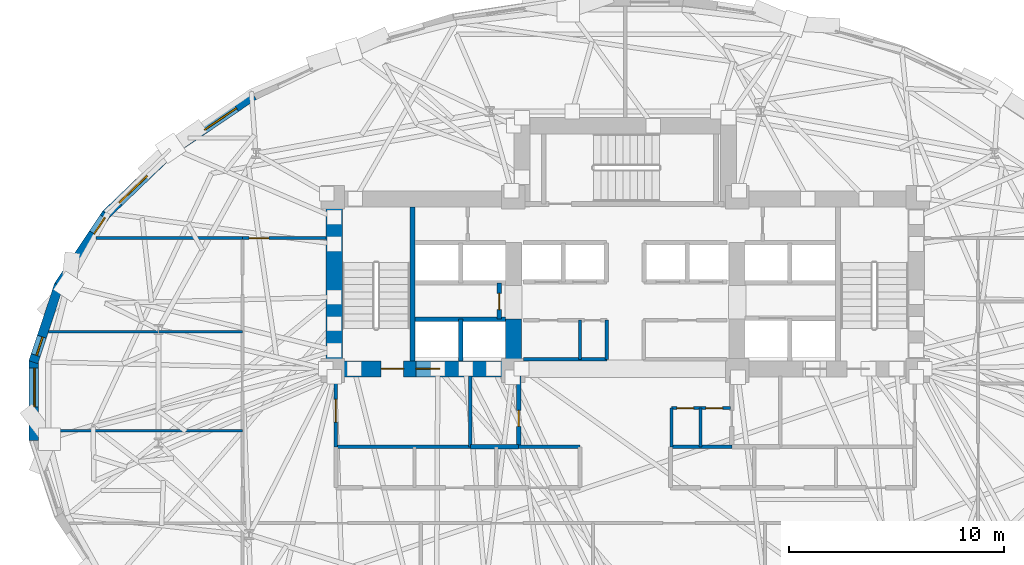
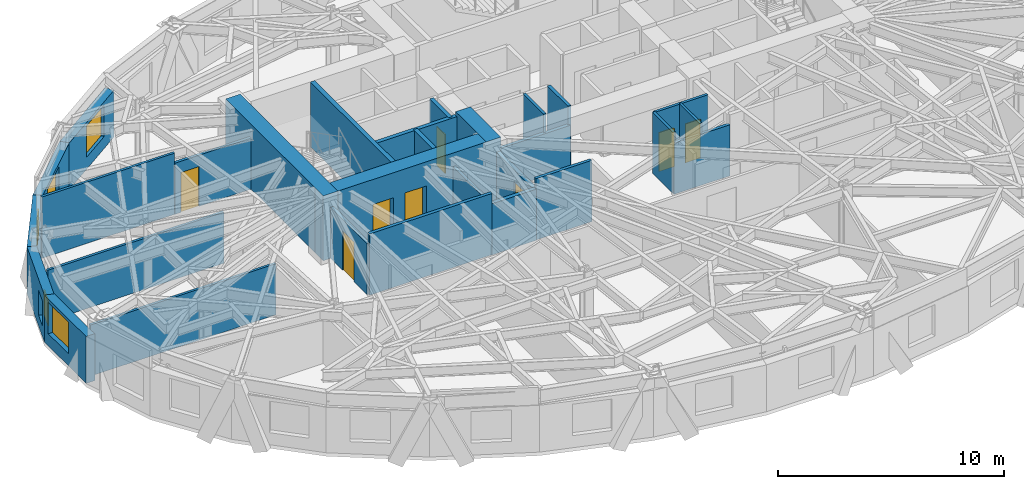
# One storey, part 7 of 15: 29 walls, 8 doors, 5 windows, 13 openings.
"""IFC4 building model written with IfcOpenShell, lengths in metres."""

from ifc_helpers import new_model, si_unit, direction, frame, frame_2d, origin, place, context, subcontext, project, spatial, rectangle, extrude, material, layer, layer_set, type_object, element, fill, save


model = new_model("IFC4")

# Units and contexts
model_context = context("Model", 3, precision=1e-05, world=origin(), true_north=direction((0.0, 1.0)))
body_context = subcontext(model_context, "Body", "Model", "MODEL_VIEW")
ifc_project = project(units=[si_unit("LENGTHUNIT", "METRE"), si_unit("AREAUNIT", "SQUARE_METRE"), si_unit("VOLUMEUNIT", "CUBIC_METRE"), si_unit("PLANEANGLEUNIT", "RADIAN"), si_unit("MASSUNIT", "GRAM", prefix="KILO")], contexts=[model_context])

# Site, building, storey
site_placement = place(None, origin())
site = spatial("IfcSite", under=ifc_project, at=site_placement, CompositionType="ELEMENT")
building_placement = place(site_placement, origin())
building = spatial("IfcBuilding", under=site, at=building_placement, Name="Keldmark Tower", CompositionType="ELEMENT")
storey_placement = place(building_placement, frame((0.0, 0.0, 110.60009765625)))
storey = spatial("IfcBuildingStorey", under=building, at=storey_placement, Name="L29", CompositionType="ELEMENT", Elevation=110.60009765625)

# Wall, opening, door
ifc_material_1 = material(Name="Acoustic Double-Layer Gypsum Corridor Partition", Category="gypsum")
ifc_layer_1 = layer(ifc_material_1, 0.139892578125)
ifc_layer_set_1 = layer_set([ifc_layer_1], Name="Acoustic Double-Layer Gypsum Corridor Partition")
wall_type_1 = type_object("IfcWallType", Name="Acoustic Corridor Partition 140 mm", PredefinedType="PARTITIONING", material=ifc_layer_set_1)
wall_1_placement = place(storey_placement, frame((-17.800048828125, 7.550048828125, 0.0), z_axis=(0.0, 0.0, 1.0), x_axis=(1.0, 0.0, 0.0)))
wall_1 = element("IfcWall", 1, at=wall_1_placement, inside=storey, type_object=wall_type_1, Name="L29 Acoustic Corridor Partition 140 mm COR-WN-CAP", PredefinedType="PARTITIONING", context=body_context, shape_type="SweptSolid", body=[
    extrude(rectangle(XDim=3.900146484375, YDim=0.139892578125, at=frame_2d((1.9501953125, 0.0))), origin(), (0.0, 0.0, 1.0), 2.762939453125),
])
opening_1_placement = place(wall_1_placement, frame((0.320068359375, 0.0, 0.0)))
opening_1 = element("IfcOpeningElement", 2, at=opening_1_placement, cuts=wall_1, Name="Opening D-EX092", PredefinedType="OPENING", context=body_context, shape_type="SweptSolid", body=[
    extrude(rectangle(XDim=0.919921875, YDim=2.14990234375, at=frame_2d((0.4599609375, 1.074951171875))), frame((0.0, 0.079833984375, 0.0), z_axis=(0.0, -1.0, 0.0), x_axis=(1.0, 0.0, 0.0)), (0.0, 0.0, 1.0), 0.159912109375),
])
ifc_material_2 = material(Name="Flush American Ash Executive Office Door", Category="wood")
door_type_1 = type_object("IfcDoorType", Name="Executive Office Door 920x2150", OperationType="NOTDEFINED", PredefinedType="DOOR", material=ifc_material_2)
door_1_placement = place(opening_1_placement, origin())
door_1 = element("IfcDoor", 3, at=door_1_placement, inside=storey, type_object=door_type_1, Name="L29 Executive Office Door 920x2150 D-NRNW-L29", OperationType="SINGLE_SWING_LEFT", OverallHeight=2.14990234375, OverallWidth=0.919921875, PredefinedType="DOOR", context=body_context, shape_type="SweptSolid", body=[
    extrude(rectangle(XDim=0.919921875, YDim=2.14990234375, at=frame_2d((0.4599609375, 1.074951171875))), frame((0.0, 0.02490234375, 0.0), z_axis=(0.0, -1.0, 0.0), x_axis=(1.0, 0.0, 0.0)), (0.0, 0.0, 1.0), 0.050048828125),
])
fill(opening_1, door_1)

# Wall, openings, doors
ifc_material_3 = material(Name="Acoustic Gypsum Board Interior Partition", Category="gypsum")
ifc_layer_2 = layer(ifc_material_3, 0.1298828125)
ifc_layer_set_2 = layer_set([ifc_layer_2], Name="Acoustic Gypsum Board Interior Partition")
wall_type_2 = type_object("IfcWallType", Name="Interior Partition 130 mm", PredefinedType="PARTITIONING", material=ifc_layer_set_2)
wall_2_placement = place(storey_placement, frame((2.14990234375, -0.35009765625, 0.0), z_axis=(0.0, 0.0, 1.0), x_axis=(1.0, 0.0, 0.0)))
wall_2 = element("IfcWall", 4, at=wall_2_placement, inside=storey, type_object=wall_type_2, Name="L29 Interior Partition 130 mm CSC-E-N", PredefinedType="PARTITIONING", context=body_context, shape_type="SweptSolid", body=[
    extrude(rectangle(XDim=2.72998046875, YDim=0.1298828125, at=frame_2d((1.364990234375, 0.0))), origin(), (0.0, 0.0, 1.0), 3.309814453125),
])
opening_2_placement = place(wall_2_placement, frame((0.25, 0.0, 0.0)))
opening_2 = element("IfcOpeningElement", 5, at=opening_2_placement, cuts=wall_2, Name="Opening D-CL078", PredefinedType="OPENING", context=body_context, shape_type="SweptSolid", body=[
    extrude(rectangle(XDim=0.780029296875, YDim=2.10009765625, at=frame_2d((0.39013671875, 1.050048828125))), frame((0.0, 0.074951171875, 0.0), z_axis=(0.0, -1.0, 0.0), x_axis=(1.0, 0.0, 0.0)), (0.0, 0.0, 1.0), 0.14990234375),
])
opening_3_placement = place(wall_2_placement, frame((1.60009765625, 0.0, 0.0)))
opening_3 = element("IfcOpeningElement", 6, at=opening_3_placement, cuts=wall_2, Name="Opening D-CL078", PredefinedType="OPENING", context=body_context, shape_type="SweptSolid", body=[
    extrude(rectangle(XDim=0.780029296875, YDim=2.10009765625, at=frame_2d((0.39013671875, 1.050048828125))), frame((0.0, 0.074951171875, 0.0), z_axis=(0.0, -1.0, 0.0), x_axis=(1.0, 0.0, 0.0)), (0.0, 0.0, 1.0), 0.14990234375),
])
ifc_material_4 = material(Name="Flush Utility Closet Timber Door", Category="wood")
door_type_2 = type_object("IfcDoorType", Name="Closet Door 780x2100", OperationType="NOTDEFINED", PredefinedType="DOOR", material=ifc_material_4)
door_2_placement = place(opening_2_placement, origin())
door_2 = element("IfcDoor", 7, at=door_2_placement, inside=storey, type_object=door_type_2, Name="L29 Closet Door 780x2100 D-CSCE1-L29", OperationType="SINGLE_SWING_RIGHT", OverallHeight=2.10009765625, OverallWidth=0.780029296875, PredefinedType="DOOR", context=body_context, shape_type="SweptSolid", body=[
    extrude(rectangle(XDim=0.780029296875, YDim=2.10009765625, at=frame_2d((0.39013671875, 1.050048828125))), frame((0.0, 0.02490234375, 0.0), z_axis=(0.0, -1.0, 0.0), x_axis=(1.0, 0.0, 0.0)), (0.0, 0.0, 1.0), 0.050048828125),
])
fill(opening_2, door_2)
door_3_placement = place(opening_3_placement, origin())
door_3 = element("IfcDoor", 8, at=door_3_placement, inside=storey, type_object=door_type_2, Name="L29 Closet Door 780x2100 D-CSCE2-L29", OperationType="SINGLE_SWING_RIGHT", OverallHeight=2.10009765625, OverallWidth=0.780029296875, PredefinedType="DOOR", context=body_context, shape_type="SweptSolid", body=[
    extrude(rectangle(XDim=0.780029296875, YDim=2.10009765625, at=frame_2d((0.39013671875, 1.050048828125))), frame((0.0, 0.02490234375, 0.0), z_axis=(0.0, -1.0, 0.0), x_axis=(1.0, 0.0, 0.0)), (0.0, 0.0, 1.0), 0.050048828125),
])
fill(opening_3, door_3)

# Walls
for number, where, z_axis, x_axis, name in (
    (9, (2.14990234375, -2.14990234375, 0.0), (0.0, 0.0, 1.0), (0.0, 1.0, 0.0), "L29 Interior Partition 130 mm CSC-E-W"),
    (10, (3.5, -2.14990234375, 0.0), (0.0, 0.0, 1.0), (0.0, 1.0, 0.0), "L29 Interior Partition 130 mm CSC-E-M"),
):
    element("IfcWall", number, at=place(storey_placement, frame(where, z_axis=z_axis, x_axis=x_axis)), inside=storey, type_object=wall_type_2, Name=name, PredefinedType="PARTITIONING", context=body_context, shape_type="SweptSolid", body=[
        extrude(rectangle(XDim=1.7998046875, YDim=0.1298828125, at=frame_2d((0.89990234375, 0.0))), origin(), (0.0, 0.0, 1.0), 3.309814453125),
    ])
wall_3_placement = place(storey_placement, frame((-2.10009765625, 1.919921875, 0.0), z_axis=(0.0, 0.0, 1.0), x_axis=(0.0, 1.0, 0.0)))
element("IfcWall", 11, at=wall_3_placement, inside=storey, type_object=wall_type_2, Name="L29 Interior Partition 130 mm REC-LW-M", PredefinedType="PARTITIONING", context=body_context, shape_type="SweptSolid", body=[
    extrude(rectangle(XDim=1.820068359375, YDim=0.1298828125, at=frame_2d((0.91015625, 0.0))), origin(), (0.0, 0.0, 1.0), 3.309814453125),
])
wall_4_placement = place(storey_placement, frame((-24.588623046875, 7.550048828125, 0.0), z_axis=(0.0, 0.0, 1.0), x_axis=(1.0, 0.0, 0.0)))
element("IfcWall", 12, at=wall_4_placement, inside=storey, type_object=wall_type_2, Name="L29 Interior Partition 130 mm W-CAP-N", PredefinedType="PARTITIONING", context=body_context, shape_type="SweptSolid", body=[
    extrude(rectangle(XDim=6.78857421875, YDim=0.1298828125, at=frame_2d((3.394287109375, 0.0))), origin(), (0.0, 0.0, 1.0), 3.309814453125),
])
wall_5_placement = place(storey_placement, frame((-27.267578125, -1.39990234375, 0.0), z_axis=(0.0, 0.0, 1.0), x_axis=(1.0, 0.0, 0.0)))
element("IfcWall", 13, at=wall_5_placement, inside=storey, type_object=wall_type_2, Name="L29 Interior Partition 130 mm W-DIV-1", PredefinedType="PARTITIONING", context=body_context, shape_type="SweptSolid", body=[
    extrude(rectangle(XDim=9.467529296875, YDim=0.1298828125, at=frame_2d((4.73388671875, 0.0))), origin(), (0.0, 0.0, 1.0), 2.762939453125),
])
wall_6_placement = place(storey_placement, frame((-26.797119140625, 3.199951171875, 0.0), z_axis=(0.0, 0.0, 1.0), x_axis=(1.0, 0.0, 0.0)))
element("IfcWall", 14, at=wall_6_placement, inside=storey, type_object=wall_type_2, Name="L29 Interior Partition 130 mm W-DIV-2", PredefinedType="PARTITIONING", context=body_context, shape_type="SweptSolid", body=[
    extrude(rectangle(XDim=8.9970703125, YDim=0.1298828125, at=frame_2d((4.49853515625, 0.0))), origin(), (0.0, 0.0, 1.0), 2.762939453125),
])
ifc_material_5 = material(Name="Concrete C70/85", Category="concrete")
ifc_layer_3 = layer(ifc_material_5, 0.75)
ifc_layer_set_3 = layer_set([ifc_layer_3], Name="Concrete C70/85")
wall_type_3 = type_object("IfcWallType", Name="Low-Mid Core Shear Wall 750 mm", PredefinedType="SHEAR", material=ifc_layer_set_3)
wall_7_placement = place(storey_placement, frame((-13.52490234375, 1.10009765625, 0.0), z_axis=(0.0, 0.0, 1.0), x_axis=(0.0, 1.0, 0.0)))
element("IfcWall", 15, at=wall_7_placement, inside=storey, type_object=wall_type_3, Name="L29 West Core Outer Shear Wall", PredefinedType="SHEAR", context=body_context, shape_type="SweptSolid", body=[
    extrude(rectangle(XDim=8.64990234375, YDim=0.75, at=frame_2d((4.324951171875, 0.0))), origin(), (0.0, 0.0, 1.0), 3.5),
])

# Wall, openings, doors
wall_8_placement = place(storey_placement, frame((-4.824951171875, 1.47509765625, 0.0), z_axis=(0.0, 0.0, 1.0), x_axis=(-1.0, 0.0, 0.0)))
wall_8 = element("IfcWall", 16, at=wall_8_placement, inside=storey, type_object=wall_type_3, Name="L29 West Core South Shear Wall", PredefinedType="SHEAR", context=body_context, shape_type="SweptSolid", body=[
    extrude(rectangle(XDim=9.074951171875, YDim=0.75, at=frame_2d((4.53759765625, 0.0))), origin(), (0.0, 0.0, 1.0), 3.5),
])
opening_4_placement = place(wall_8_placement, frame((5.47509765625, 0.0, 0.0)))
opening_4 = element("IfcOpeningElement", 17, at=opening_4_placement, cuts=wall_8, Name="Opening D-ST105", PredefinedType="OPENING", context=body_context, shape_type="SweptSolid", body=[
    extrude(rectangle(XDim=1.050048828125, YDim=2.14990234375, at=frame_2d((0.52490234375, 1.074951171875))), frame((0.0, 0.385009765625, 0.0), z_axis=(0.0, -1.0, 0.0), x_axis=(1.0, 0.0, 0.0)), (0.0, 0.0, 1.0), 0.77001953125),
])
opening_5_placement = place(wall_8_placement, frame((3.804931640625, 0.0, 0.0)))
opening_5 = element("IfcOpeningElement", 18, at=opening_5_placement, cuts=wall_8, Name="Opening LD-110", PredefinedType="OPENING", context=body_context, shape_type="SweptSolid", body=[
    extrude(rectangle(XDim=1.10009765625, YDim=2.199951171875, at=frame_2d((0.550048828125, 1.10009765625))), frame((0.0, 0.385009765625, 0.0), z_axis=(0.0, -1.0, 0.0), x_axis=(1.0, 0.0, 0.0)), (0.0, 0.0, 1.0), 0.77001953125),
])
ifc_material_6 = material(Name="Brushed Bronze Hoistway Sliding Leaf", Category="metal")
door_type_3 = type_object("IfcDoorType", Name="Lift Landing Sliding Door 1100x2200", OperationType="SLIDING_TO_LEFT", PredefinedType="DOOR", material=ifc_material_6)
door_4_placement = place(opening_5_placement, origin())
door_4 = element("IfcDoor", 19, at=door_4_placement, inside=storey, type_object=door_type_3, Name="L29 Lift Landing Sliding Door 1100x2200 LD-EL-FS1-L29", OperationType="SLIDING_TO_LEFT", OverallHeight=2.199951171875, OverallWidth=1.10009765625, PredefinedType="DOOR", context=body_context, shape_type="SweptSolid", body=[
    extrude(rectangle(XDim=1.10009765625, YDim=2.199951171875, at=frame_2d((0.550048828125, 1.10009765625))), frame((0.0, 0.02490234375, 0.0), z_axis=(0.0, -1.0, 0.0), x_axis=(1.0, 0.0, 0.0)), (0.0, 0.0, 1.0), 0.050048828125),
])
fill(opening_5, door_4)
ifc_material_7 = material(Name="Hollow Metal Fire-Rated Door Assembly", Category="metal")
door_type_4 = type_object("IfcDoorType", Name="Stair Fire Door 1050x2150", OperationType="NOTDEFINED", PredefinedType="DOOR", material=ifc_material_7)
door_5_placement = place(opening_4_placement, origin())
door_5 = element("IfcDoor", 20, at=door_5_placement, inside=storey, type_object=door_type_4, Name="L29 Stair Fire Door 1050x2150 D-ST1-L29", OperationType="SINGLE_SWING_RIGHT", OverallHeight=2.14990234375, OverallWidth=1.050048828125, PredefinedType="DOOR", context=body_context, shape_type="SweptSolid", body=[
    extrude(rectangle(XDim=1.050048828125, YDim=2.14990234375, at=frame_2d((0.52490234375, 1.074951171875))), frame((0.0, 0.02490234375, 0.0), z_axis=(0.0, -1.0, 0.0), x_axis=(1.0, 0.0, 0.0)), (0.0, 0.0, 1.0), 0.050048828125),
])
fill(opening_4, door_5)

# Walls
wall_9_placement = place(storey_placement, frame((-5.199951171875, 1.10009765625, 0.0), z_axis=(0.0, 0.0, 1.0), x_axis=(0.0, 1.0, 0.0)))
element("IfcWall", 21, at=wall_9_placement, inside=storey, type_object=wall_type_3, Name="L29 West Core Inner Shear Pier South", PredefinedType="SHEAR", context=body_context, shape_type="SweptSolid", body=[
    extrude(rectangle(XDim=2.699951171875, YDim=0.75, at=frame_2d((1.35009765625, 0.0))), origin(), (0.0, 0.0, 1.0), 3.5),
])
ifc_material_8 = material(Name="Type X Fire-Rated Gypsum Partition Assembly", Category="gypsum")
ifc_layer_4 = layer(ifc_material_8, 0.1650390625)
ifc_layer_set_4 = layer_set([ifc_layer_4], Name="Type X Fire-Rated Gypsum Partition Assembly")
wall_type_4 = type_object("IfcWallType", Name="Rated Partition 165 mm", PredefinedType="PARTITIONING", material=ifc_layer_set_4)
wall_10_placement = place(storey_placement, frame((-13.449951171875, -2.14990234375, 0.0), z_axis=(0.0, 0.0, 1.0), x_axis=(1.0, 0.0, 0.0)))
element("IfcWall", 22, at=wall_10_placement, inside=storey, type_object=wall_type_4, Name="L29 Rated Partition 165 mm FSAE-W-S", PredefinedType="PARTITIONING", context=body_context, shape_type="SweptSolid", body=[
    extrude(rectangle(XDim=6.25, YDim=0.1650390625, at=frame_2d((3.125, 0.0))), origin(), (0.0, 0.0, 1.0), 3.309814453125),
])

# Wall, opening, door
wall_11_placement = place(storey_placement, frame((-13.449951171875, -2.14990234375, 0.0), z_axis=(0.0, 0.0, 1.0), x_axis=(0.0, 1.0, 0.0)))
wall_11 = element("IfcWall", 23, at=wall_11_placement, inside=storey, type_object=wall_type_4, Name="L29 Rated Partition 165 mm FSAE-W-W", PredefinedType="PARTITIONING", context=body_context, shape_type="SweptSolid", body=[
    extrude(rectangle(XDim=3.2998046875, YDim=0.1650390625, at=frame_2d((1.64990234375, 0.0))), origin(), (0.0, 0.0, 1.0), 2.762939453125),
])
opening_6_placement = place(wall_11_placement, frame((1.14990234375, 0.0, 0.0)))
opening_6 = element("IfcOpeningElement", 24, at=opening_6_placement, cuts=wall_11, Name="Opening D-FL105", PredefinedType="OPENING", context=body_context, shape_type="SweptSolid", body=[
    extrude(rectangle(XDim=1.050048828125, YDim=2.14990234375, at=frame_2d((0.52490234375, 1.074951171875))), frame((0.0, 0.092529296875, 0.0), z_axis=(0.0, -1.0, 0.0), x_axis=(1.0, 0.0, 0.0)), (0.0, 0.0, 1.0), 0.18505859375),
])
ifc_material_9 = material(Name="Fire-Rated Mineral-Core Door and Vision Lite", Category="metal")
door_type_5 = type_object("IfcDoorType", Name="Fire Lobby Door 1050x2150", OperationType="NOTDEFINED", PredefinedType="DOOR", material=ifc_material_9)
door_6_placement = place(opening_6_placement, origin())
door_6 = element("IfcDoor", 25, at=door_6_placement, inside=storey, type_object=door_type_5, Name="L29 Fire Lobby Door 1050x2150 D-FSAEW-OUT-L29", OperationType="SINGLE_SWING_LEFT", OverallHeight=2.14990234375, OverallWidth=1.050048828125, PredefinedType="DOOR", context=body_context, shape_type="SweptSolid", body=[
    extrude(rectangle(XDim=1.050048828125, YDim=2.14990234375, at=frame_2d((0.52490234375, 1.074951171875))), frame((0.0, 0.02490234375, 0.0), z_axis=(0.0, -1.0, 0.0), x_axis=(1.0, 0.0, 0.0)), (0.0, 0.0, 1.0), 0.050048828125),
])
fill(opening_6, door_6)

# Walls
wall_12_placement = place(storey_placement, frame((-7.199951171875, -2.14990234375, 0.0), z_axis=(0.0, 0.0, 1.0), x_axis=(0.0, 1.0, 0.0)))
element("IfcWall", 26, at=wall_12_placement, inside=storey, type_object=wall_type_4, Name="L29 Rated Partition 165 mm FSAE-W-E", PredefinedType="PARTITIONING", context=body_context, shape_type="SweptSolid", body=[
    extrude(rectangle(XDim=3.2998046875, YDim=0.1650390625, at=frame_2d((1.64990234375, 0.0))), origin(), (0.0, 0.0, 1.0), 2.762939453125),
])
wall_13_placement = place(storey_placement, frame((-4.739990234375, 1.919921875, 0.0), z_axis=(0.0, 0.0, 1.0), x_axis=(1.0, 0.0, 0.0)))
element("IfcWall", 27, at=wall_13_placement, inside=storey, type_object=wall_type_4, Name="L29 Rated Partition 165 mm REC-LW-S", PredefinedType="PARTITIONING", context=body_context, shape_type="SweptSolid", body=[
    extrude(rectangle(XDim=3.889892578125, YDim=0.1650390625, at=frame_2d((1.94482421875, 0.0))), origin(), (0.0, 0.0, 1.0), 2.2998046875),
])
wall_14_placement = place(storey_placement, frame((-0.85009765625, 1.919921875, 0.0), z_axis=(0.0, 0.0, 1.0), x_axis=(0.0, 1.0, 0.0)))
element("IfcWall", 28, at=wall_14_placement, inside=storey, type_object=wall_type_4, Name="L29 Rated Partition 165 mm REC-LW-E", PredefinedType="PARTITIONING", context=body_context, shape_type="SweptSolid", body=[
    extrude(rectangle(XDim=1.820068359375, YDim=0.1650390625, at=frame_2d((0.91015625, 0.0))), origin(), (0.0, 0.0, 1.0), 3.309814453125),
])
ifc_material_10 = material(Name="Fire-Resistant Type X Gypsum Shaftliner Coreboard", Category="gypsum")
ifc_layer_5 = layer(ifc_material_10, 0.199951171875)
ifc_layer_set_5 = layer_set([ifc_layer_5], Name="Fire-Resistant Type X Gypsum Shaftliner Coreboard")
wall_type_5 = type_object("IfcWallType", Name="Shaft Wall 200 mm", PredefinedType="SOLIDWALL", material=ifc_layer_set_5)
wall_15_placement = place(storey_placement, frame((-7.199951171875, -2.14990234375, 0.0), z_axis=(0.0, 0.0, 1.0), x_axis=(1.0, 0.0, 0.0)))
element("IfcWall", 29, at=wall_15_placement, inside=storey, type_object=wall_type_5, Name="L29 Shaft Wall 200 mm RIS-SW-S", PredefinedType="SOLIDWALL", context=body_context, shape_type="SweptSolid", body=[
    extrude(rectangle(XDim=2.25, YDim=0.199951171875, at=frame_2d((1.125, 0.0))), origin(), (0.0, 0.0, 1.0), 2.762939453125),
])

# Wall, opening, door
wall_16_placement = place(storey_placement, frame((-4.949951171875, -2.14990234375, 0.0), z_axis=(0.0, 0.0, 1.0), x_axis=(0.0, 1.0, 0.0)))
wall_16 = element("IfcWall", 30, at=wall_16_placement, inside=storey, type_object=wall_type_5, Name="L29 Shaft Wall 200 mm RIS-SW-E", PredefinedType="SOLIDWALL", context=body_context, shape_type="SweptSolid", body=[
    extrude(rectangle(XDim=3.2998046875, YDim=0.199951171875, at=frame_2d((1.64990234375, 0.0))), origin(), (0.0, 0.0, 1.0), 2.762939453125),
])
opening_7_placement = place(wall_16_placement, frame((0.949951171875, 0.0, 0.0)))
opening_7 = element("IfcOpeningElement", 31, at=opening_7_placement, cuts=wall_16, Name="Opening D-RS075", PredefinedType="OPENING", context=body_context, shape_type="SweptSolid", body=[
    extrude(rectangle(XDim=0.75, YDim=2.10009765625, at=frame_2d((0.375, 1.050048828125))), frame((0.0, 0.10986328125, 0.0), z_axis=(0.0, -1.0, 0.0), x_axis=(1.0, 0.0, 0.0)), (0.0, 0.0, 1.0), 0.219970703125),
])
ifc_material_11 = material(Name="Galvanized Fire-Rated Access Leaf", Category="metal")
door_type_6 = type_object("IfcDoorType", Name="Riser Access Door 750x2100", OperationType="NOTDEFINED", PredefinedType="DOOR", material=ifc_material_11)
door_7_placement = place(opening_7_placement, origin())
door_7 = element("IfcDoor", 32, at=door_7_placement, inside=storey, type_object=door_type_6, Name="L29 Riser Access Door 750x2100 D-RISSW-L29", OperationType="SINGLE_SWING_RIGHT", OverallHeight=2.10009765625, OverallWidth=0.75, PredefinedType="DOOR", context=body_context, shape_type="SweptSolid", body=[
    extrude(rectangle(XDim=0.75, YDim=2.10009765625, at=frame_2d((0.375, 1.050048828125))), frame((0.0, 0.02490234375, 0.0), z_axis=(0.0, -1.0, 0.0), x_axis=(1.0, 0.0, 0.0)), (0.0, 0.0, 1.0), 0.050048828125),
])
fill(opening_7, door_7)

# Walls
wall_17_placement = place(storey_placement, frame((-9.780029296875, 3.780029296875, 0.0), z_axis=(0.0, 0.0, 1.0), x_axis=(1.0, 0.0, 0.0)))
element("IfcWall", 33, at=wall_17_placement, inside=storey, type_object=wall_type_5, Name="L29 Shaft Wall 200 mm HW-W-S", PredefinedType="SOLIDWALL", context=body_context, shape_type="SweptSolid", body=[
    extrude(rectangle(XDim=4.205078125, YDim=0.199951171875, at=frame_2d((2.1025390625, 0.0))), origin(), (0.0, 0.0, 1.0), 3.309814453125),
])
wall_18_placement = place(storey_placement, frame((-7.64990234375, 1.85009765625, 0.0), z_axis=(0.0, 0.0, 1.0), x_axis=(0.0, 1.0, 0.0)))
element("IfcWall", 34, at=wall_18_placement, inside=storey, type_object=wall_type_5, Name="L29 Shaft Wall 200 mm HW-W-M", PredefinedType="SOLIDWALL", context=body_context, shape_type="SweptSolid", body=[
    extrude(rectangle(XDim=1.929931640625, YDim=0.199951171875, at=frame_2d((0.96484375, 0.0))), origin(), (0.0, 0.0, 1.0), 3.309814453125),
])

# Wall, opening, door
wall_19_placement = place(storey_placement, frame((-5.85009765625, 3.780029296875, 0.0), z_axis=(0.0, 0.0, 1.0), x_axis=(0.0, 1.0, 0.0)))
wall_19 = element("IfcWall", 35, at=wall_19_placement, inside=storey, type_object=wall_type_5, Name="L29 Shaft Wall 200 mm HW-W-CLOSE", PredefinedType="SOLIDWALL", context=body_context, shape_type="SweptSolid", body=[
    extrude(rectangle(XDim=1.68994140625, YDim=0.199951171875, at=frame_2d((0.844970703125, 0.0))), origin(), (0.0, 0.0, 1.0), 3.309814453125),
])
opening_8_placement = place(wall_19_placement, frame((0.449951171875, 0.0, 0.0)))
opening_8 = element("IfcOpeningElement", 36, at=opening_8_placement, cuts=wall_19, Name="Opening D-RS075", PredefinedType="OPENING", context=body_context, shape_type="SweptSolid", body=[
    extrude(rectangle(XDim=0.75, YDim=2.10009765625, at=frame_2d((0.375, 1.050048828125))), frame((0.0, 0.10986328125, 0.0), z_axis=(0.0, -1.0, 0.0), x_axis=(1.0, 0.0, 0.0)), (0.0, 0.0, 1.0), 0.219970703125),
])
door_8_placement = place(opening_8_placement, origin())
door_8 = element("IfcDoor", 37, at=door_8_placement, inside=storey, type_object=door_type_6, Name="L29 Riser Access Door 750x2100 D-RISHW-L29", OperationType="SINGLE_SWING_RIGHT", OverallHeight=2.10009765625, OverallWidth=0.75, PredefinedType="DOOR", context=body_context, shape_type="SweptSolid", body=[
    extrude(rectangle(XDim=0.75, YDim=2.10009765625, at=frame_2d((0.375, 1.050048828125))), frame((0.0, 0.02490234375, 0.0), z_axis=(0.0, -1.0, 0.0), x_axis=(1.0, 0.0, 0.0)), (0.0, 0.0, 1.0), 0.050048828125),
])
fill(opening_8, door_8)

# Wall
ifc_material_12 = material(Name="Concrete C50/60", Category="concrete")
ifc_layer_6 = layer(ifc_material_12, 0.219970703125)
ifc_layer_set_6 = layer_set([ifc_layer_6], Name="Concrete C50/60")
wall_type_6 = type_object("IfcWallType", Name="Stair Core Shear Wall 220 mm", PredefinedType="SHEAR", material=ifc_layer_set_6)
wall_20_placement = place(storey_placement, frame((-9.889892578125, 1.85009765625, 0.0), z_axis=(0.0, 0.0, 1.0), x_axis=(0.0, 1.0, 0.0)))
element("IfcWall", 38, at=wall_20_placement, inside=storey, type_object=wall_type_6, Name="L29 West Stair Core Shear Wall", PredefinedType="SHEAR", context=body_context, shape_type="SweptSolid", body=[
    extrude(rectangle(XDim=7.14990234375, YDim=0.219970703125, at=frame_2d((3.574951171875, 0.0))), origin(), (0.0, 0.0, 1.0), 3.5),
])

# Wall, opening, window
ifc_material_13 = material(Name="Ironspot Manganese Brick and Kasota Buff Limestone Spandrel Assembly", Category="masonry")
ifc_layer_7 = layer(ifc_material_13, 0.43994140625)
ifc_layer_set_7 = layer_set([ifc_layer_7], Name="Ironspot Manganese Brick and Kasota Buff Limestone Spandrel Assembly")
wall_type_7 = type_object("IfcWallType", Name="Tower Brick Pier and Spandrel Wall 440 mm", PredefinedType="STANDARD", material=ifc_layer_set_7)
wall_21_placement = place(storey_placement, frame((-21.066162109375, 11.6064453125, 0.0), z_axis=(0.0, 0.0, 1.0), x_axis=(0.827754551165, 0.56109036975, 0.0)))
wall_21 = element("IfcWall", 39, at=wall_21_placement, inside=storey, type_object=wall_type_7, Name="L29 Exterior Brick and Spandrel Wall 12", PredefinedType="STANDARD", context=body_context, shape_type="SweptSolid", body=[
    extrude(rectangle(XDim=4.590576171875, YDim=0.43994140625, at=frame_2d((2.29541015625, 0.0))), origin(), (0.0, 0.0, 1.0), 2.52783203125),
])
opening_9_placement = place(wall_21_placement, frame((1.793701171875, 0.0, 0.64990234375)))
opening_9 = element("IfcOpeningElement", 40, at=opening_9_placement, cuts=wall_21, Name="Opening W-02", PredefinedType="OPENING", context=body_context, shape_type="SweptSolid", body=[
    extrude(rectangle(XDim=1.800048828125, YDim=1.699951171875, at=frame_2d((0.89990234375, 0.85009765625))), frame((0.0, 0.22998046875, 0.0), z_axis=(0.0, -1.0, 0.0), x_axis=(1.0, 0.0, 0.0)), (0.0, 0.0, 1.0), 0.4599609375),
])
ifc_material_14 = material(Name="Thermally Broken Anodized Aluminum and Triple Low-E Argon Glazing", Category="aluminium")
window_type_1 = type_object("IfcWindowType", Name="Office Deep-Set Triple Window 1800x1700", PartitioningType="TRIPLE_PANEL_VERTICAL", PredefinedType="WINDOW", material=ifc_material_14)
window_1_placement = place(opening_9_placement, origin())
window_1 = element("IfcWindow", 41, at=window_1_placement, inside=storey, type_object=window_type_1, Name="L29 Deep-Set Window 12", OverallHeight=1.699951171875, OverallWidth=1.800048828125, PartitioningType="SINGLE_PANEL", PredefinedType="WINDOW", context=body_context, shape_type="SweptSolid", body=[
    extrude(rectangle(XDim=1.800048828125, YDim=1.699951171875, at=frame_2d((0.89990234375, 0.85009765625))), frame((0.0, -0.010009765625, 0.0), z_axis=(0.0, -1.0, 0.0), x_axis=(1.0, 0.0, 0.0)), (0.0, 0.0, 1.0), 0.06005859375),
])
fill(opening_9, window_1)

wall_22_placement = place(storey_placement, frame((-24.140380859375, 8.643798828125, 0.0), z_axis=(0.0, 0.0, 1.0), x_axis=(0.720581378362, 0.693370375166, 0.0)))
wall_22 = element("IfcWall", 42, at=wall_22_placement, inside=storey, type_object=wall_type_7, Name="L29 Exterior Brick and Spandrel Wall 13", PredefinedType="STANDARD", context=body_context, shape_type="SweptSolid", body=[
    extrude(rectangle(XDim=4.306640625, YDim=0.43994140625, at=frame_2d((2.1533203125, 0.0))), origin(), (0.0, 0.0, 1.0), 2.52783203125),
])
opening_10_placement = place(wall_22_placement, frame((0.8369140625, 0.0, 0.64990234375)))
opening_10 = element("IfcOpeningElement", 43, at=opening_10_placement, cuts=wall_22, Name="Opening W-02", PredefinedType="OPENING", context=body_context, shape_type="SweptSolid", body=[
    extrude(rectangle(XDim=1.800048828125, YDim=1.699951171875, at=frame_2d((0.89990234375, 0.85009765625))), frame((0.0, 0.22998046875, 0.0), z_axis=(0.0, -1.0, 0.0), x_axis=(1.0, 0.0, 0.0)), (0.0, 0.0, 1.0), 0.4599609375),
])
window_2_placement = place(opening_10_placement, origin())
window_2 = element("IfcWindow", 44, at=window_2_placement, inside=storey, type_object=window_type_1, Name="L29 Deep-Set Window 13", OverallHeight=1.699951171875, OverallWidth=1.800048828125, PartitioningType="SINGLE_PANEL", PredefinedType="WINDOW", context=body_context, shape_type="SweptSolid", body=[
    extrude(rectangle(XDim=1.800048828125, YDim=1.699951171875, at=frame_2d((0.89990234375, 0.85009765625))), frame((0.0, -0.010009765625, 0.0), z_axis=(0.0, -1.0, 0.0), x_axis=(1.0, 0.0, 0.0)), (0.0, 0.0, 1.0), 0.06005859375),
])
fill(opening_10, window_2)

wall_23_placement = place(storey_placement, frame((-26.339599609375, 5.332275390625, 0.0), z_axis=(0.0, 0.0, 1.0), x_axis=(0.554293965046, 0.83232097193, 0.0)))
wall_23 = element("IfcWall", 45, at=wall_23_placement, inside=storey, type_object=wall_type_7, Name="L29 Exterior Brick and Spandrel Wall 14", PredefinedType="STANDARD", context=body_context, shape_type="SweptSolid", body=[
    extrude(rectangle(XDim=4.022705078125, YDim=0.43994140625, at=frame_2d((2.01123046875, 0.0))), origin(), (0.0, 0.0, 1.0), 2.52783203125),
])
opening_11_placement = place(wall_23_placement, frame((2.9228515625, 0.0, 0.580078125)))
opening_11 = element("IfcOpeningElement", 46, at=opening_11_placement, cuts=wall_23, Name="Opening W-09", PredefinedType="OPENING", context=body_context, shape_type="SweptSolid", body=[
    extrude(rectangle(XDim=0.89990234375, YDim=1.35009765625, at=frame_2d((0.449951171875, 0.675048828125))), frame((0.0, 0.22998046875, 0.0), z_axis=(0.0, -1.0, 0.0), x_axis=(1.0, 0.0, 0.0)), (0.0, 0.0, 1.0), 0.4599609375),
])
ifc_material_15 = material(Name="Thermally Broken Anodized Aluminum and Triple Low-E Argon Glazing", Category="aluminium")
window_type_2 = type_object("IfcWindowType", Name="Corner Pier Deep-Set Window 900x1350", PartitioningType="SINGLE_PANEL", PredefinedType="WINDOW", material=ifc_material_15)
window_3_placement = place(opening_11_placement, origin())
window_3 = element("IfcWindow", 47, at=window_3_placement, inside=storey, type_object=window_type_2, Name="L29 Deep-Set Window 14", OverallHeight=1.35009765625, OverallWidth=0.89990234375, PartitioningType="SINGLE_PANEL", PredefinedType="WINDOW", context=body_context, shape_type="SweptSolid", body=[
    extrude(rectangle(XDim=0.89990234375, YDim=1.35009765625, at=frame_2d((0.449951171875, 0.675048828125))), frame((0.0, -0.010009765625, 0.0), z_axis=(0.0, -1.0, 0.0), x_axis=(1.0, 0.0, 0.0)), (0.0, 0.0, 1.0), 0.06005859375),
])
fill(opening_11, window_3)

wall_24_placement = place(storey_placement, frame((-27.5068359375, 1.781494140625, 0.0), z_axis=(0.0, 0.0, 1.0), x_axis=(0.314316911692, 0.94931811266, 0.0)))
wall_24 = element("IfcWall", 48, at=wall_24_placement, inside=storey, type_object=wall_type_7, Name="L29 Exterior Brick and Spandrel Wall 15", PredefinedType="STANDARD", context=body_context, shape_type="SweptSolid", body=[
    extrude(rectangle(XDim=3.7958984375, YDim=0.43994140625, at=frame_2d((1.89794921875, 0.0))), origin(), (0.0, 0.0, 1.0), 2.531982421875),
])
opening_12_placement = place(wall_24_placement, frame((0.349853515625, 0.0, 0.580078125)))
opening_12 = element("IfcOpeningElement", 49, at=opening_12_placement, cuts=wall_24, Name="Opening W-09", PredefinedType="OPENING", context=body_context, shape_type="SweptSolid", body=[
    extrude(rectangle(XDim=0.89990234375, YDim=1.35009765625, at=frame_2d((0.449951171875, 0.675048828125))), frame((0.0, 0.22998046875, 0.0), z_axis=(0.0, -1.0, 0.0), x_axis=(1.0, 0.0, 0.0)), (0.0, 0.0, 1.0), 0.4599609375),
])
window_4_placement = place(opening_12_placement, origin())
window_4 = element("IfcWindow", 50, at=window_4_placement, inside=storey, type_object=window_type_2, Name="L29 Deep-Set Window 15", OverallHeight=1.35009765625, OverallWidth=0.89990234375, PartitioningType="SINGLE_PANEL", PredefinedType="WINDOW", context=body_context, shape_type="SweptSolid", body=[
    extrude(rectangle(XDim=0.89990234375, YDim=1.35009765625, at=frame_2d((0.449951171875, 0.675048828125))), frame((0.0, -0.010009765625, 0.0), z_axis=(0.0, -1.0, 0.0), x_axis=(1.0, 0.0, 0.0)), (0.0, 0.0, 1.0), 0.06005859375),
])
fill(opening_12, window_4)

wall_25_placement = place(storey_placement, frame((-27.49560546875, -1.8505859375, 0.0), z_axis=(0.0, 0.0, 1.0), x_axis=(0.0, 1.0, 0.0)))
wall_25 = element("IfcWall", 51, at=wall_25_placement, inside=storey, type_object=wall_type_7, Name="L29 Exterior Brick and Spandrel Wall 16", PredefinedType="STANDARD", context=body_context, shape_type="SweptSolid", body=[
    extrude(rectangle(XDim=3.701171875, YDim=0.43994140625, at=frame_2d((1.8505859375, 0.0))), origin(), (0.0, 0.0, 1.0), 2.531982421875),
])
opening_13_placement = place(wall_25_placement, frame((1.5556640625, 0.0, 0.64990234375)))
opening_13 = element("IfcOpeningElement", 52, at=opening_13_placement, cuts=wall_25, Name="Opening W-02", PredefinedType="OPENING", context=body_context, shape_type="SweptSolid", body=[
    extrude(rectangle(XDim=1.800048828125, YDim=1.699951171875, at=frame_2d((0.89990234375, 0.85009765625))), frame((0.0, 0.22998046875, 0.0), z_axis=(0.0, -1.0, 0.0), x_axis=(1.0, 0.0, 0.0)), (0.0, 0.0, 1.0), 0.4599609375),
])
window_5_placement = place(opening_13_placement, origin())
window_5 = element("IfcWindow", 53, at=window_5_placement, inside=storey, type_object=window_type_1, Name="L29 Deep-Set Window 16", OverallHeight=1.699951171875, OverallWidth=1.800048828125, PartitioningType="SINGLE_PANEL", PredefinedType="WINDOW", context=body_context, shape_type="SweptSolid", body=[
    extrude(rectangle(XDim=1.800048828125, YDim=1.699951171875, at=frame_2d((0.89990234375, 0.85009765625))), frame((0.0, -0.010009765625, 0.0), z_axis=(0.0, -1.0, 0.0), x_axis=(1.0, 0.0, 0.0)), (0.0, 0.0, 1.0), 0.06005859375),
])
fill(opening_13, window_5)

# Walls
ifc_material_16 = material(Name="Moisture-Resistant Gypsum Plumbing Partition", Category="gypsum")
ifc_layer_8 = layer(ifc_material_16, 0.14990234375)
ifc_layer_set_8 = layer_set([ifc_layer_8], Name="Moisture-Resistant Gypsum Plumbing Partition")
wall_type_8 = type_object("IfcWallType", Name="Wet Wall 150 mm", PredefinedType="PLUMBINGWALL", material=ifc_layer_set_8)
wall_26_placement = place(storey_placement, frame((-4.949951171875, -2.14990234375, 0.0), z_axis=(0.0, 0.0, 1.0), x_axis=(1.0, 0.0, 0.0)))
element("IfcWall", 54, at=wall_26_placement, inside=storey, type_object=wall_type_8, Name="L29 Wet Wall 150 mm SPK-W-N", PredefinedType="PLUMBINGWALL", context=body_context, shape_type="SweptSolid", body=[
    extrude(rectangle(XDim=2.849853515625, YDim=0.14990234375, at=frame_2d((1.4248046875, 0.0))), origin(), (0.0, 0.0, 1.0), 3.309814453125),
])
wall_27_placement = place(storey_placement, frame((2.10009765625, -2.14990234375, 0.0), z_axis=(0.0, 0.0, 1.0), x_axis=(1.0, 0.0, 0.0)))
element("IfcWall", 55, at=wall_27_placement, inside=storey, type_object=wall_type_8, Name="L29 Wet Wall 150 mm SPK-E-N", PredefinedType="PLUMBINGWALL", context=body_context, shape_type="SweptSolid", body=[
    extrude(rectangle(XDim=2.849853515625, YDim=0.14990234375, at=frame_2d((1.4248046875, 0.0))), origin(), (0.0, 0.0, 1.0), 2.762939453125),
])

save(model, "model.ifc")
